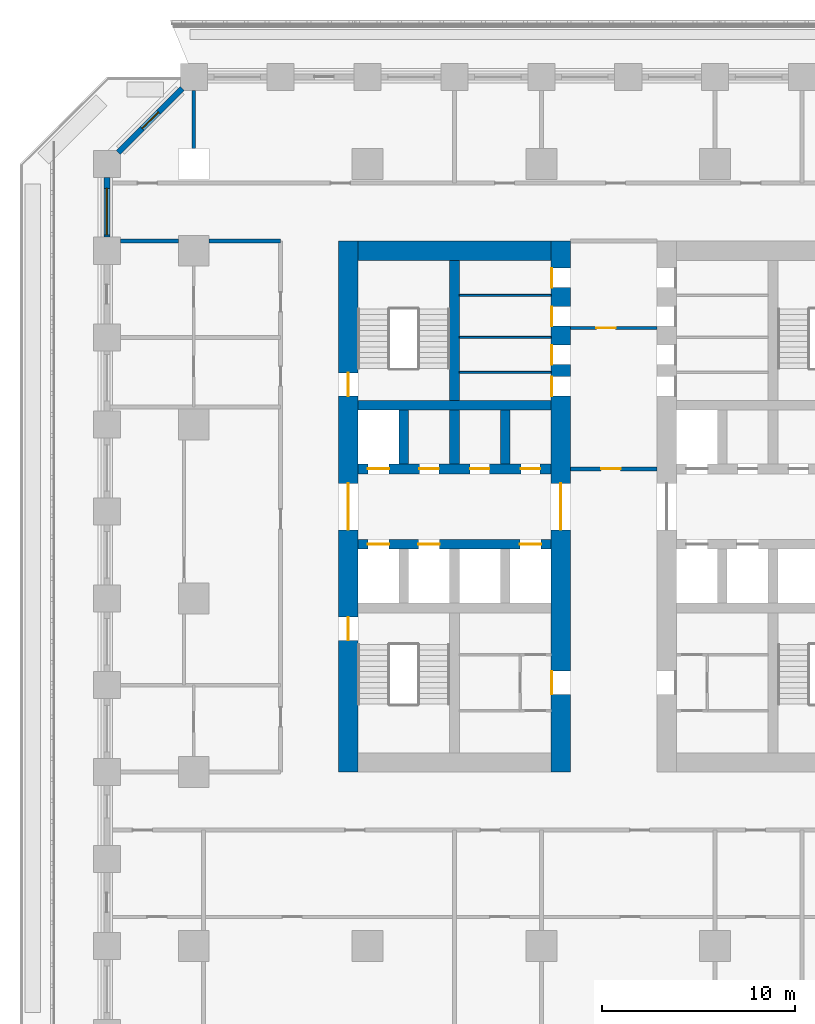
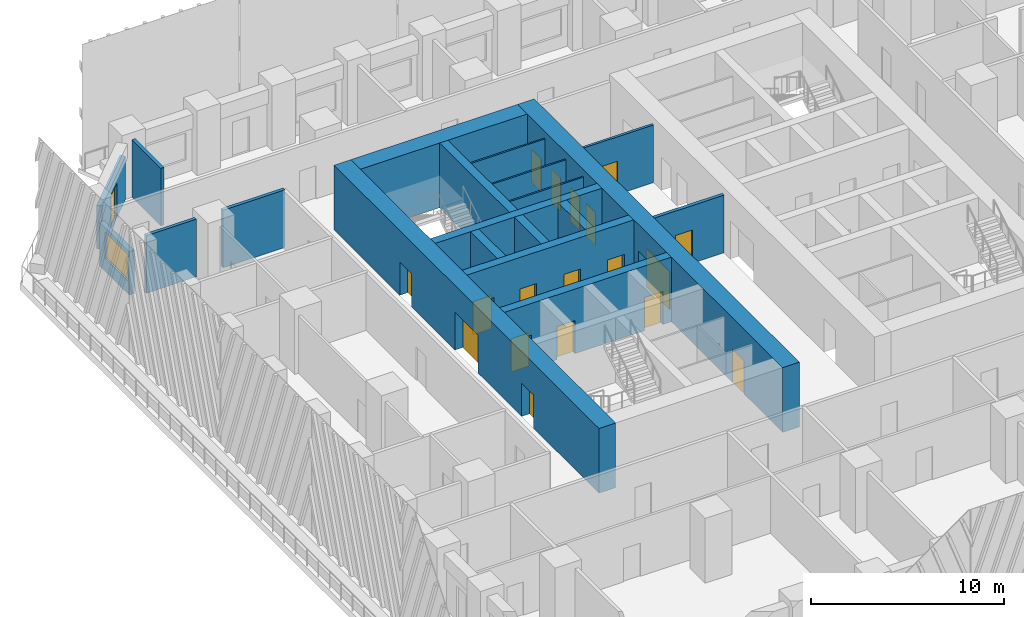
# One storey, part 6 of 15: 20 walls, 19 doors, 1 window, 20 openings.
"""IFC4 building model written with IfcOpenShell, lengths in metres."""

from ifc_helpers import new_model, si_unit, direction, frame, frame_2d, origin, place, context, subcontext, project, spatial, rectangle, extrude, material, layer, layer_set, type_object, element, fill, save


model = new_model("IFC4")

# Units and contexts
model_context = context("Model", 3, precision=1e-05, world=origin(), true_north=direction((0.0, 1.0)))
body_context = subcontext(model_context, "Body", "Model", "MODEL_VIEW")
ifc_project = project(units=[si_unit("LENGTHUNIT", "METRE"), si_unit("AREAUNIT", "SQUARE_METRE"), si_unit("VOLUMEUNIT", "CUBIC_METRE"), si_unit("PLANEANGLEUNIT", "RADIAN"), si_unit("MASSUNIT", "GRAM", prefix="KILO")], contexts=[model_context])

# Site, building, storey
site_placement = place(None, origin())
site = spatial("IfcSite", under=ifc_project, at=site_placement, CompositionType="ELEMENT")
building_placement = place(site_placement, origin())
building = spatial("IfcBuilding", under=site, at=building_placement, Name="Corbel Stack Research Tower", CompositionType="ELEMENT")
storey_placement = place(building_placement, frame((0.0, 0.0, 41.89990234375)))
storey = spatial("IfcBuildingStorey", under=building, at=storey_placement, Name="L09", CompositionType="ELEMENT", Elevation=41.89990234375)

# Wall, openings, doors
ifc_material_1 = material(Name="Concrete C70/85", Category="concrete")
ifc_layer_1 = layer(ifc_material_1, 1.0)
ifc_layer_set_1 = layer_set([ifc_layer_1], Name="Concrete C70/85")
wall_type_1 = type_object("IfcWallType", Name="CW-1000-70", PredefinedType="SHEAR", material=ifc_layer_set_1)
wall_1_placement = place(storey_placement, frame((-10.0, -9.0, 0.0), z_axis=(0.0, 0.0, 1.0), x_axis=(0.0, 1.0, 0.0)))
wall_1 = element("IfcWall", 1, at=wall_1_placement, inside=storey, type_object=wall_type_1, Name="West core wall, west face L09", PredefinedType="SHEAR", context=body_context, shape_type="SweptSolid", body=[
    extrude(rectangle(XDim=27.5, YDim=1.0, at=frame_2d((13.75, 0.0))), origin(), (0.0, 0.0, 1.0), 4.10009765625),
])
opening_1_placement = place(wall_1_placement, frame((12.550048828125, 0.0, 0.0)))
opening_1 = element("IfcOpeningElement", 2, at=opening_1_placement, cuts=wall_1, Name="Opening CD-W-W", PredefinedType="OPENING", context=body_context, shape_type="SweptSolid", body=[
    extrude(rectangle(XDim=2.39990234375, YDim=2.39990234375, at=frame_2d((1.199951171875, 1.199951171875))), frame((0.0, 0.510009765625, 0.0), z_axis=(0.0, -1.0, 0.0), x_axis=(1.0, 0.0, 0.0)), (0.0, 0.0, 1.0), 1.02001953125),
])
opening_2_placement = place(wall_1_placement, frame((6.824951171875, 0.0, 0.0)))
opening_2 = element("IfcOpeningElement", 3, at=opening_2_placement, cuts=wall_1, Name="Opening SD-ST-W1", PredefinedType="OPENING", context=body_context, shape_type="SweptSolid", body=[
    extrude(rectangle(XDim=1.199951171875, YDim=2.10009765625, at=frame_2d((0.60009765625, 1.050048828125))), frame((0.0, 0.510009765625, 0.0), z_axis=(0.0, -1.0, 0.0), x_axis=(1.0, 0.0, 0.0)), (0.0, 0.0, 1.0), 1.02001953125),
])
opening_3_placement = place(wall_1_placement, frame((19.47509765625, 0.0, 0.0)))
opening_3 = element("IfcOpeningElement", 4, at=opening_3_placement, cuts=wall_1, Name="Opening SD-ST-W2", PredefinedType="OPENING", context=body_context, shape_type="SweptSolid", body=[
    extrude(rectangle(XDim=1.199951171875, YDim=2.10009765625, at=frame_2d((0.60009765625, 1.050048828125))), frame((0.0, 0.510009765625, 0.0), z_axis=(0.0, -1.0, 0.0), x_axis=(1.0, 0.0, 0.0)), (0.0, 0.0, 1.0), 1.02001953125),
])
ifc_material_2 = material(Name="Painted steel fire door", Category="steel")
door_type_1 = type_object("IfcDoorType", Name="Lobby door pair 2400 x 2400 FD30S", OperationType="DOUBLE_DOOR_DOUBLE_SWING", PredefinedType="DOOR", material=ifc_material_2)
door_1_placement = place(opening_1_placement, origin())
door_1 = element("IfcDoor", 5, at=door_1_placement, inside=storey, type_object=door_type_1, Name="Lift lobby door W core W", OperationType="DOUBLE_DOOR_DOUBLE_SWING", OverallHeight=2.39990234375, OverallWidth=2.39990234375, PredefinedType="DOOR", context=body_context, shape_type="SweptSolid", body=[
    extrude(rectangle(XDim=2.39990234375, YDim=2.39990234375, at=frame_2d((1.199951171875, 1.199951171875))), frame((0.0, 0.02490234375, 0.0), z_axis=(0.0, -1.0, 0.0), x_axis=(1.0, 0.0, 0.0)), (0.0, 0.0, 1.0), 0.050048828125),
])
fill(opening_1, door_1)
ifc_material_3 = material(Name="Painted steel fire door", Category="steel")
door_type_2 = type_object("IfcDoorType", Name="Stair door 1200 x 2100 FD90 left hand", OperationType="SINGLE_SWING_LEFT", PredefinedType="DOOR", material=ifc_material_3)
door_2_placement = place(opening_2_placement, origin())
door_2 = element("IfcDoor", 6, at=door_2_placement, inside=storey, type_object=door_type_2, Name="Stair door ST-W1", OperationType="SINGLE_SWING_LEFT", OverallHeight=2.10009765625, OverallWidth=1.199951171875, PredefinedType="DOOR", context=body_context, shape_type="SweptSolid", body=[
    extrude(rectangle(XDim=1.199951171875, YDim=2.10009765625, at=frame_2d((0.60009765625, 1.050048828125))), frame((0.0, 0.02490234375, 0.0), z_axis=(0.0, -1.0, 0.0), x_axis=(1.0, 0.0, 0.0)), (0.0, 0.0, 1.0), 0.050048828125),
])
fill(opening_2, door_2)
door_3_placement = place(opening_3_placement, origin())
door_3 = element("IfcDoor", 7, at=door_3_placement, inside=storey, type_object=door_type_2, Name="Stair door ST-W2", OperationType="SINGLE_SWING_LEFT", OverallHeight=2.10009765625, OverallWidth=1.199951171875, PredefinedType="DOOR", context=body_context, shape_type="SweptSolid", body=[
    extrude(rectangle(XDim=1.199951171875, YDim=2.10009765625, at=frame_2d((0.60009765625, 1.050048828125))), frame((0.0, 0.02490234375, 0.0), z_axis=(0.0, -1.0, 0.0), x_axis=(1.0, 0.0, 0.0)), (0.0, 0.0, 1.0), 0.050048828125),
])
fill(opening_3, door_3)

wall_2_placement = place(storey_placement, frame((1.0, -9.0, 0.0), z_axis=(0.0, 0.0, 1.0), x_axis=(0.0, 1.0, 0.0)))
wall_2 = element("IfcWall", 8, at=wall_2_placement, inside=storey, type_object=wall_type_1, Name="West core wall, east face L09", PredefinedType="SHEAR", context=body_context, shape_type="SweptSolid", body=[
    extrude(rectangle(XDim=27.5, YDim=1.0, at=frame_2d((13.75, 0.0))), origin(), (0.0, 0.0, 1.0), 4.10009765625),
])
opening_4_placement = place(wall_2_placement, frame((12.550048828125, 0.0, 0.0)))
opening_4 = element("IfcOpeningElement", 9, at=opening_4_placement, cuts=wall_2, Name="Opening CD-W-E", PredefinedType="OPENING", context=body_context, shape_type="SweptSolid", body=[
    extrude(rectangle(XDim=2.39990234375, YDim=2.39990234375, at=frame_2d((1.199951171875, 1.199951171875))), frame((0.0, 0.510009765625, 0.0), z_axis=(0.0, -1.0, 0.0), x_axis=(1.0, 0.0, 0.0)), (0.0, 0.0, 1.0), 1.02001953125),
])
opening_5_placement = place(wall_2_placement, frame((4.02490234375, 0.0, 0.0)))
opening_5 = element("IfcOpeningElement", 10, at=opening_5_placement, cuts=wall_2, Name="Opening CR-W36-W1-1200", PredefinedType="OPENING", context=body_context, shape_type="SweptSolid", body=[
    extrude(rectangle(XDim=1.199951171875, YDim=2.10009765625, at=frame_2d((0.60009765625, 1.050048828125))), frame((0.0, 0.510009765625, 0.0), z_axis=(0.0, -1.0, 0.0), x_axis=(1.0, 0.0, 0.0)), (0.0, 0.0, 1.0), 1.02001953125),
])
opening_6_placement = place(wall_2_placement, frame((19.47509765625, 0.0, 0.0)))
opening_6 = element("IfcOpeningElement", 11, at=opening_6_placement, cuts=wall_2, Name="Opening CR-W36-R1-1000", PredefinedType="OPENING", context=body_context, shape_type="SweptSolid", body=[
    extrude(rectangle(XDim=1.0, YDim=2.10009765625, at=frame_2d((0.5, 1.050048828125))), frame((0.0, 0.510009765625, 0.0), z_axis=(0.0, -1.0, 0.0), x_axis=(1.0, 0.0, 0.0)), (0.0, 0.0, 1.0), 1.02001953125),
])
opening_7_placement = place(wall_2_placement, frame((21.106201171875, 0.0, 0.0)))
opening_7 = element("IfcOpeningElement", 12, at=opening_7_placement, cuts=wall_2, Name="Opening CR-W36-R2-1000", PredefinedType="OPENING", context=body_context, shape_type="SweptSolid", body=[
    extrude(rectangle(XDim=1.0, YDim=2.10009765625, at=frame_2d((0.5, 1.050048828125))), frame((0.0, 0.510009765625, 0.0), z_axis=(0.0, -1.0, 0.0), x_axis=(1.0, 0.0, 0.0)), (0.0, 0.0, 1.0), 1.02001953125),
])
opening_8_placement = place(wall_2_placement, frame((23.10009765625, 0.0, 0.0)))
opening_8 = element("IfcOpeningElement", 13, at=opening_8_placement, cuts=wall_2, Name="Opening CR-W36-R3-1000", PredefinedType="OPENING", context=body_context, shape_type="SweptSolid", body=[
    extrude(rectangle(XDim=1.0, YDim=2.10009765625, at=frame_2d((0.5, 1.050048828125))), frame((0.0, 0.510009765625, 0.0), z_axis=(0.0, -1.0, 0.0), x_axis=(1.0, 0.0, 0.0)), (0.0, 0.0, 1.0), 1.02001953125),
])
opening_9_placement = place(wall_2_placement, frame((25.09375, 0.0, 0.0)))
opening_9 = element("IfcOpeningElement", 14, at=opening_9_placement, cuts=wall_2, Name="Opening CR-W36-R4-1000", PredefinedType="OPENING", context=body_context, shape_type="SweptSolid", body=[
    extrude(rectangle(XDim=1.0, YDim=2.10009765625, at=frame_2d((0.5, 1.050048828125))), frame((0.0, 0.510009765625, 0.0), z_axis=(0.0, -1.0, 0.0), x_axis=(1.0, 0.0, 0.0)), (0.0, 0.0, 1.0), 1.02001953125),
])
door_4_placement = place(opening_4_placement, origin())
door_4 = element("IfcDoor", 15, at=door_4_placement, inside=storey, type_object=door_type_1, Name="Lift lobby door W core E", OperationType="DOUBLE_DOOR_DOUBLE_SWING", OverallHeight=2.39990234375, OverallWidth=2.39990234375, PredefinedType="DOOR", context=body_context, shape_type="SweptSolid", body=[
    extrude(rectangle(XDim=2.39990234375, YDim=2.39990234375, at=frame_2d((1.199951171875, 1.199951171875))), frame((0.0, 0.02490234375, 0.0), z_axis=(0.0, -1.0, 0.0), x_axis=(1.0, 0.0, 0.0)), (0.0, 0.0, 1.0), 0.050048828125),
])
fill(opening_4, door_4)
ifc_material_4 = material(Name="Painted steel door", Category="steel")
door_type_3 = type_object("IfcDoorType", Name="Riser door 1000 x 2100 FD60 left hand", OperationType="SINGLE_SWING_LEFT", PredefinedType="DOOR", material=ifc_material_4)
door_5_placement = place(opening_6_placement, origin())
door_5 = element("IfcDoor", 16, at=door_5_placement, inside=storey, type_object=door_type_3, Name="Electrical riser door W core", OperationType="SINGLE_SWING_LEFT", OverallHeight=2.10009765625, OverallWidth=1.0, PredefinedType="DOOR", context=body_context, shape_type="SweptSolid", body=[
    extrude(rectangle(XDim=1.0, YDim=2.10009765625, at=frame_2d((0.5, 1.050048828125))), frame((0.0, 0.47509765625, 0.0), z_axis=(0.0, -1.0, 0.0), x_axis=(1.0, 0.0, 0.0)), (0.0, 0.0, 1.0), 0.050048828125),
])
fill(opening_6, door_5)
ifc_material_5 = material(Name="Painted steel door", Category="steel")
door_type_4 = type_object("IfcDoorType", Name="Riser door 1000 x 2100 FD60 right hand", OperationType="SINGLE_SWING_RIGHT", PredefinedType="DOOR", material=ifc_material_5)
door_6_placement = place(opening_7_placement, origin())
door_6 = element("IfcDoor", 17, at=door_6_placement, inside=storey, type_object=door_type_4, Name="Telecom room door W core", OperationType="SINGLE_SWING_RIGHT", OverallHeight=2.10009765625, OverallWidth=1.0, PredefinedType="DOOR", context=body_context, shape_type="SweptSolid", body=[
    extrude(rectangle(XDim=1.0, YDim=2.10009765625, at=frame_2d((0.5, 1.050048828125))), frame((0.0, 0.47509765625, 0.0), z_axis=(0.0, -1.0, 0.0), x_axis=(1.0, 0.0, 0.0)), (0.0, 0.0, 1.0), 0.050048828125),
])
fill(opening_7, door_6)
ifc_material_6 = material(Name="Painted steel door", Category="steel")
door_type_5 = type_object("IfcDoorType", Name="Service door 1000 x 2100 FD30 left hand", OperationType="SINGLE_SWING_LEFT", PredefinedType="DOOR", material=ifc_material_6)
door_7_placement = place(opening_8_placement, origin())
door_7 = element("IfcDoor", 18, at=door_7_placement, inside=storey, type_object=door_type_5, Name="Pantry door W core", OperationType="SINGLE_SWING_LEFT", OverallHeight=2.10009765625, OverallWidth=1.0, PredefinedType="DOOR", context=body_context, shape_type="SweptSolid", body=[
    extrude(rectangle(XDim=1.0, YDim=2.10009765625, at=frame_2d((0.5, 1.050048828125))), frame((0.0, 0.47509765625, 0.0), z_axis=(0.0, -1.0, 0.0), x_axis=(1.0, 0.0, 0.0)), (0.0, 0.0, 1.0), 0.050048828125),
])
fill(opening_8, door_7)
ifc_material_7 = material(Name="Painted steel door", Category="steel")
door_type_6 = type_object("IfcDoorType", Name="Service door 1000 x 2100 FD30 right hand", OperationType="SINGLE_SWING_RIGHT", PredefinedType="DOOR", material=ifc_material_7)
door_8_placement = place(opening_9_placement, origin())
door_8 = element("IfcDoor", 19, at=door_8_placement, inside=storey, type_object=door_type_6, Name="Cleaner's store door W core", OperationType="SINGLE_SWING_RIGHT", OverallHeight=2.10009765625, OverallWidth=1.0, PredefinedType="DOOR", context=body_context, shape_type="SweptSolid", body=[
    extrude(rectangle(XDim=1.0, YDim=2.10009765625, at=frame_2d((0.5, 1.050048828125))), frame((0.0, 0.47509765625, 0.0), z_axis=(0.0, -1.0, 0.0), x_axis=(1.0, 0.0, 0.0)), (0.0, 0.0, 1.0), 0.050048828125),
])
fill(opening_9, door_8)
ifc_material_8 = material(Name="Painted timber door", Category="wood")
door_type_7 = type_object("IfcDoorType", Name="WC door 1200 x 2100 left hand", OperationType="SINGLE_SWING_LEFT", PredefinedType="DOOR", material=ifc_material_8)
door_9_placement = place(opening_5_placement, origin())
door_9 = element("IfcDoor", 20, at=door_9_placement, inside=storey, type_object=door_type_7, Name="WC lobby door W core", OperationType="SINGLE_SWING_LEFT", OverallHeight=2.10009765625, OverallWidth=1.199951171875, PredefinedType="DOOR", context=body_context, shape_type="SweptSolid", body=[
    extrude(rectangle(XDim=1.199951171875, YDim=2.10009765625, at=frame_2d((0.60009765625, 1.050048828125))), frame((0.0, 0.47509765625, 0.0), z_axis=(0.0, -1.0, 0.0), x_axis=(1.0, 0.0, 0.0)), (0.0, 0.0, 1.0), 0.050048828125),
])
fill(opening_5, door_9)

# Wall
wall_3_placement = place(storey_placement, frame((-9.5, 18.0, 0.0), z_axis=(0.0, 0.0, 1.0), x_axis=(1.0, 0.0, 0.0)))
element("IfcWall", 21, at=wall_3_placement, inside=storey, type_object=wall_type_1, Name="West core wall, north end L09", PredefinedType="SHEAR", context=body_context, shape_type="SweptSolid", body=[
    extrude(rectangle(XDim=10.0, YDim=1.0, at=frame_2d((5.0, 0.0))), origin(), (0.0, 0.0, 1.0), 4.10009765625),
])

# Wall, openings, doors
ifc_material_9 = material(Name="Concrete C70/85", Category="concrete")
ifc_layer_2 = layer(ifc_material_9, 0.5)
ifc_layer_set_2 = layer_set([ifc_layer_2], Name="Concrete C70/85")
wall_type_2 = type_object("IfcWallType", Name="CW-500-70", PredefinedType="SHEAR", material=ifc_layer_set_2)
wall_4_placement = place(storey_placement, frame((-9.5, 2.800048828125, 0.0), z_axis=(0.0, 0.0, 1.0), x_axis=(1.0, 0.0, 0.0)))
wall_4 = element("IfcWall", 22, at=wall_4_placement, inside=storey, type_object=wall_type_2, Name="West core wall, lobby south L09", PredefinedType="SHEAR", context=body_context, shape_type="SweptSolid", body=[
    extrude(rectangle(XDim=10.0, YDim=0.5, at=frame_2d((5.0, 0.0))), origin(), (0.0, 0.0, 1.0), 4.10009765625),
])
opening_10_placement = place(wall_4_placement, frame((0.512451171875, 0.0, 0.0)))
opening_10 = element("IfcOpeningElement", 23, at=opening_10_placement, cuts=wall_4, Name="Opening LD-FS1", PredefinedType="OPENING", context=body_context, shape_type="SweptSolid", body=[
    extrude(rectangle(XDim=1.10009765625, YDim=2.10009765625, at=frame_2d((0.550048828125, 1.050048828125))), frame((0.0, 0.260009765625, 0.0), z_axis=(0.0, -1.0, 0.0), x_axis=(1.0, 0.0, 0.0)), (0.0, 0.0, 1.0), 0.52001953125),
])
opening_11_placement = place(wall_4_placement, frame((3.137451171875, 0.0, 0.0)))
opening_11 = element("IfcOpeningElement", 24, at=opening_11_placement, cuts=wall_4, Name="Opening LD-GL1", PredefinedType="OPENING", context=body_context, shape_type="SweptSolid", body=[
    extrude(rectangle(XDim=1.10009765625, YDim=2.10009765625, at=frame_2d((0.550048828125, 1.050048828125))), frame((0.0, 0.260009765625, 0.0), z_axis=(0.0, -1.0, 0.0), x_axis=(1.0, 0.0, 0.0)), (0.0, 0.0, 1.0), 0.52001953125),
])
opening_12_placement = place(wall_4_placement, frame((8.387451171875, 0.0, 0.0)))
opening_12 = element("IfcOpeningElement", 25, at=opening_12_placement, cuts=wall_4, Name="Opening LD-LR1", PredefinedType="OPENING", context=body_context, shape_type="SweptSolid", body=[
    extrude(rectangle(XDim=1.10009765625, YDim=2.10009765625, at=frame_2d((0.550048828125, 1.050048828125))), frame((0.0, 0.260009765625, 0.0), z_axis=(0.0, -1.0, 0.0), x_axis=(1.0, 0.0, 0.0)), (0.0, 0.0, 1.0), 0.52001953125),
])
ifc_material_10 = material(Name="Stainless steel landing door", Category="steel")
door_type_8 = type_object("IfcDoorType", Name="Lift landing door 1100 x 2100", OperationType="DOUBLE_DOOR_SLIDING", PredefinedType="DOOR", material=ifc_material_10)
door_10_placement = place(opening_10_placement, origin())
door_10 = element("IfcDoor", 26, at=door_10_placement, inside=storey, type_object=door_type_8, Name="Landing door FS1", OperationType="DOUBLE_DOOR_SLIDING", OverallHeight=2.10009765625, OverallWidth=1.10009765625, PredefinedType="DOOR", context=body_context, shape_type="SweptSolid", body=[
    extrude(rectangle(XDim=1.10009765625, YDim=2.10009765625, at=frame_2d((0.550048828125, 1.050048828125))), frame((0.0, 0.02490234375, 0.0), z_axis=(0.0, -1.0, 0.0), x_axis=(1.0, 0.0, 0.0)), (0.0, 0.0, 1.0), 0.050048828125),
])
fill(opening_10, door_10)
door_11_placement = place(opening_11_placement, origin())
door_11 = element("IfcDoor", 27, at=door_11_placement, inside=storey, type_object=door_type_8, Name="Landing door GL1", OperationType="DOUBLE_DOOR_SLIDING", OverallHeight=2.10009765625, OverallWidth=1.10009765625, PredefinedType="DOOR", context=body_context, shape_type="SweptSolid", body=[
    extrude(rectangle(XDim=1.10009765625, YDim=2.10009765625, at=frame_2d((0.550048828125, 1.050048828125))), frame((0.0, 0.02490234375, 0.0), z_axis=(0.0, -1.0, 0.0), x_axis=(1.0, 0.0, 0.0)), (0.0, 0.0, 1.0), 0.050048828125),
])
fill(opening_11, door_11)
door_12_placement = place(opening_12_placement, origin())
door_12 = element("IfcDoor", 28, at=door_12_placement, inside=storey, type_object=door_type_8, Name="Landing door LR1", OperationType="DOUBLE_DOOR_SLIDING", OverallHeight=2.10009765625, OverallWidth=1.10009765625, PredefinedType="DOOR", context=body_context, shape_type="SweptSolid", body=[
    extrude(rectangle(XDim=1.10009765625, YDim=2.10009765625, at=frame_2d((0.550048828125, 1.050048828125))), frame((0.0, 0.02490234375, 0.0), z_axis=(0.0, -1.0, 0.0), x_axis=(1.0, 0.0, 0.0)), (0.0, 0.0, 1.0), 0.050048828125),
])
fill(opening_12, door_12)

wall_5_placement = place(storey_placement, frame((-9.5, 6.699951171875, 0.0), z_axis=(0.0, 0.0, 1.0), x_axis=(1.0, 0.0, 0.0)))
wall_5 = element("IfcWall", 29, at=wall_5_placement, inside=storey, type_object=wall_type_2, Name="West core wall, lobby north L09", PredefinedType="SHEAR", context=body_context, shape_type="SweptSolid", body=[
    extrude(rectangle(XDim=10.0, YDim=0.5, at=frame_2d((5.0, 0.0))), origin(), (0.0, 0.0, 1.0), 4.10009765625),
])
opening_13_placement = place(wall_5_placement, frame((0.512451171875, 0.0, 0.0)))
opening_13 = element("IfcOpeningElement", 30, at=opening_13_placement, cuts=wall_5, Name="Opening LD-LR2", PredefinedType="OPENING", context=body_context, shape_type="SweptSolid", body=[
    extrude(rectangle(XDim=1.10009765625, YDim=2.10009765625, at=frame_2d((0.550048828125, 1.050048828125))), frame((0.0, 0.260009765625, 0.0), z_axis=(0.0, -1.0, 0.0), x_axis=(1.0, 0.0, 0.0)), (0.0, 0.0, 1.0), 0.52001953125),
])
opening_14_placement = place(wall_5_placement, frame((3.1875, 0.0, 0.0)))
opening_14 = element("IfcOpeningElement", 31, at=opening_14_placement, cuts=wall_5, Name="Opening CR-W36-N2", PredefinedType="OPENING", context=body_context, shape_type="SweptSolid", body=[
    extrude(rectangle(XDim=1.0, YDim=2.10009765625, at=frame_2d((0.5, 1.050048828125))), frame((0.0, 0.260009765625, 0.0), z_axis=(0.0, -1.0, 0.0), x_axis=(1.0, 0.0, 0.0)), (0.0, 0.0, 1.0), 0.52001953125),
])
opening_15_placement = place(wall_5_placement, frame((5.8125, 0.0, 0.0)))
opening_15 = element("IfcOpeningElement", 32, at=opening_15_placement, cuts=wall_5, Name="Opening CR-W36-N3", PredefinedType="OPENING", context=body_context, shape_type="SweptSolid", body=[
    extrude(rectangle(XDim=1.0, YDim=2.10009765625, at=frame_2d((0.5, 1.050048828125))), frame((0.0, 0.260009765625, 0.0), z_axis=(0.0, -1.0, 0.0), x_axis=(1.0, 0.0, 0.0)), (0.0, 0.0, 1.0), 0.52001953125),
])
opening_16_placement = place(wall_5_placement, frame((8.4375, 0.0, 0.0)))
opening_16 = element("IfcOpeningElement", 33, at=opening_16_placement, cuts=wall_5, Name="Opening CR-W36-N4", PredefinedType="OPENING", context=body_context, shape_type="SweptSolid", body=[
    extrude(rectangle(XDim=1.0, YDim=2.10009765625, at=frame_2d((0.5, 1.050048828125))), frame((0.0, 0.260009765625, 0.0), z_axis=(0.0, -1.0, 0.0), x_axis=(1.0, 0.0, 0.0)), (0.0, 0.0, 1.0), 0.52001953125),
])
door_13_placement = place(opening_13_placement, origin())
door_13 = element("IfcDoor", 34, at=door_13_placement, inside=storey, type_object=door_type_8, Name="Landing door LR2", OperationType="DOUBLE_DOOR_SLIDING", OverallHeight=2.10009765625, OverallWidth=1.10009765625, PredefinedType="DOOR", context=body_context, shape_type="SweptSolid", body=[
    extrude(rectangle(XDim=1.10009765625, YDim=2.10009765625, at=frame_2d((0.550048828125, 1.050048828125))), frame((0.0, 0.02490234375, 0.0), z_axis=(0.0, -1.0, 0.0), x_axis=(1.0, 0.0, 0.0)), (0.0, 0.0, 1.0), 0.050048828125),
])
fill(opening_13, door_13)
ifc_material_11 = material(Name="Painted steel door", Category="steel")
door_type_9 = type_object("IfcDoorType", Name="Service door 1000 x 2100 FD60 left hand", OperationType="SINGLE_SWING_LEFT", PredefinedType="DOOR", material=ifc_material_11)
door_14_placement = place(opening_15_placement, origin())
door_14 = element("IfcDoor", 35, at=door_14_placement, inside=storey, type_object=door_type_9, Name="Cleaner's store door W core", OperationType="SINGLE_SWING_LEFT", OverallHeight=2.10009765625, OverallWidth=1.0, PredefinedType="DOOR", context=body_context, shape_type="SweptSolid", body=[
    extrude(rectangle(XDim=1.0, YDim=2.10009765625, at=frame_2d((0.5, 1.050048828125))), frame((0.0, 0.02490234375, 0.0), z_axis=(0.0, -1.0, 0.0), x_axis=(1.0, 0.0, 0.0)), (0.0, 0.0, 1.0), 0.050048828125),
])
fill(opening_15, door_14)
ifc_material_12 = material(Name="Painted steel door", Category="steel")
door_type_10 = type_object("IfcDoorType", Name="Service door 1000 x 2100 FD60 right hand", OperationType="SINGLE_SWING_RIGHT", PredefinedType="DOOR", material=ifc_material_12)
door_15_placement = place(opening_14_placement, origin())
door_15 = element("IfcDoor", 36, at=door_15_placement, inside=storey, type_object=door_type_10, Name="Laboratory consumables store door W core", OperationType="SINGLE_SWING_RIGHT", OverallHeight=2.10009765625, OverallWidth=1.0, PredefinedType="DOOR", context=body_context, shape_type="SweptSolid", body=[
    extrude(rectangle(XDim=1.0, YDim=2.10009765625, at=frame_2d((0.5, 1.050048828125))), frame((0.0, 0.02490234375, 0.0), z_axis=(0.0, -1.0, 0.0), x_axis=(1.0, 0.0, 0.0)), (0.0, 0.0, 1.0), 0.050048828125),
])
fill(opening_14, door_15)
door_16_placement = place(opening_16_placement, origin())
door_16 = element("IfcDoor", 37, at=door_16_placement, inside=storey, type_object=door_type_10, Name="Vending bay door W core", OperationType="SINGLE_SWING_RIGHT", OverallHeight=2.10009765625, OverallWidth=1.0, PredefinedType="DOOR", context=body_context, shape_type="SweptSolid", body=[
    extrude(rectangle(XDim=1.0, YDim=2.10009765625, at=frame_2d((0.5, 1.050048828125))), frame((0.0, 0.02490234375, 0.0), z_axis=(0.0, -1.0, 0.0), x_axis=(1.0, 0.0, 0.0)), (0.0, 0.0, 1.0), 0.050048828125),
])
fill(opening_16, door_16)

# Walls
wall_6_placement = place(storey_placement, frame((-9.5, 10.0, 0.0), z_axis=(0.0, 0.0, 1.0), x_axis=(1.0, 0.0, 0.0)))
element("IfcWall", 38, at=wall_6_placement, inside=storey, type_object=wall_type_2, Name="West core wall, north row back L09", PredefinedType="SHEAR", context=body_context, shape_type="SweptSolid", body=[
    extrude(rectangle(XDim=10.0, YDim=0.5, at=frame_2d((5.0, 0.0))), origin(), (0.0, 0.0, 1.0), 4.10009765625),
])
for number, where, z_axis, x_axis, name in (
    (39, (-7.125, 6.949951171875, 0.0), (0.0, 0.0, 1.0), (0.0, 1.0, 0.0), "West core wall, north shaft 1 L09"),
    (40, (-4.5, 6.949951171875, 0.0), (0.0, 0.0, 1.0), (0.0, 1.0, 0.0), "West core wall, north shaft 2 L09"),
    (41, (-1.875, 6.949951171875, 0.0), (0.0, 0.0, 1.0), (0.0, 1.0, 0.0), "West core wall, north shaft 3 L09"),
):
    element("IfcWall", number, at=place(storey_placement, frame(where, z_axis=z_axis, x_axis=x_axis)), inside=storey, type_object=wall_type_2, Name=name, PredefinedType="SHEAR", context=body_context, shape_type="SweptSolid", body=[
        extrude(rectangle(XDim=2.800048828125, YDim=0.5, at=frame_2d((1.39990234375, 0.0))), origin(), (0.0, 0.0, 1.0), 4.10009765625),
    ])
wall_7_placement = place(storey_placement, frame((-4.5, 10.25, 0.0), z_axis=(0.0, 0.0, 1.0), x_axis=(0.0, 1.0, 0.0)))
element("IfcWall", 42, at=wall_7_placement, inside=storey, type_object=wall_type_2, Name="West core wall, north stair and riser L09", PredefinedType="SHEAR", context=body_context, shape_type="SweptSolid", body=[
    extrude(rectangle(XDim=7.25, YDim=0.5, at=frame_2d((3.625, 0.0))), origin(), (0.0, 0.0, 1.0), 4.10009765625),
])
ifc_material_13 = material(Name="Gypsum board")
ifc_layer_3 = layer(ifc_material_13, 0.10009765625)
ifc_layer_set_3 = layer_set([ifc_layer_3], Name="Gypsum board")
wall_type_3 = type_object("IfcWallType", Name="Core partition 100", PredefinedType="PARTITIONING", material=ifc_layer_set_3)
for number, where, z_axis, x_axis, name in (
    (43, (-4.25, 11.699951171875, 0.0), (0.0, 0.0, 1.0), (1.0, 0.0, 0.0), "Core partition W"),
    (44, (-4.25, 13.512451171875, 0.0), (0.0, 0.0, 1.0), (1.0, 0.0, 0.0), "Core partition W"),
    (45, (-4.25, 15.6875, 0.0), (0.0, 0.0, 1.0), (1.0, 0.0, 0.0), "Core partition W"),
):
    element("IfcWall", number, at=place(storey_placement, frame(where, z_axis=z_axis, x_axis=x_axis)), inside=storey, type_object=wall_type_3, Name=name, PredefinedType="PARTITIONING", context=body_context, shape_type="SweptSolid", body=[
        extrude(rectangle(XDim=4.75, YDim=0.10009765625, at=frame_2d((2.375, 0.0))), origin(), (0.0, 0.0, 1.0), 3.650146484375),
    ])
ifc_material_14 = material(Name="Fire-rated gypsum board partition on steel studs", Category="steel")
ifc_layer_4 = layer(ifc_material_14, 0.199951171875)
ifc_layer_set_4 = layer_set([ifc_layer_4], Name="Fire-rated gypsum board partition on steel studs")
wall_type_4 = type_object("IfcWallType", Name="Fire-rated partition 200 EI 60", PredefinedType="PARTITIONING", material=ifc_layer_set_4)
wall_8_placement = place(storey_placement, frame((-18.0, 23.300048828125, 0.0), z_axis=(0.0, 0.0, 1.0), x_axis=(0.0, 1.0, 0.0)))
element("IfcWall", 46, at=wall_8_placement, inside=storey, type_object=wall_type_4, Name="Partition L09-005", PredefinedType="PARTITIONING", context=body_context, shape_type="SweptSolid", body=[
    extrude(rectangle(XDim=3.0, YDim=0.199951171875, at=frame_2d((1.5, 0.0))), origin(), (0.0, 0.0, 1.0), 3.650146484375),
])

# Wall, opening, door
wall_9_placement = place(storey_placement, frame((1.5, 6.699951171875, 0.0), z_axis=(0.0, 0.0, 1.0), x_axis=(1.0, 0.0, 0.0)))
wall_9 = element("IfcWall", 47, at=wall_9_placement, inside=storey, type_object=wall_type_4, Name="Partition L09-037", PredefinedType="PARTITIONING", context=body_context, shape_type="SweptSolid", body=[
    extrude(rectangle(XDim=4.5, YDim=0.199951171875, at=frame_2d((2.25, 0.0))), origin(), (0.0, 0.0, 1.0), 3.650146484375),
])
opening_17_placement = place(wall_9_placement, frame((1.60009765625, 0.0, 0.0)))
opening_17 = element("IfcOpeningElement", 48, at=opening_17_placement, cuts=wall_9, Name="Opening B2V0H-025", PredefinedType="OPENING", context=body_context, shape_type="SweptSolid", body=[
    extrude(rectangle(XDim=1.0, YDim=2.10009765625, at=frame_2d((0.5, 1.050048828125))), frame((0.0, 0.10986328125, 0.0), z_axis=(0.0, -1.0, 0.0), x_axis=(1.0, 0.0, 0.0)), (0.0, 0.0, 1.0), 0.219970703125),
])
ifc_material_15 = material(Name="Painted steel fire door", Category="steel")
door_type_11 = type_object("IfcDoorType", Name="Fire door FD30S 1000 x 2100", OperationType="NOTDEFINED", PredefinedType="DOOR", material=ifc_material_15)
door_17_placement = place(opening_17_placement, origin())
door_17 = element("IfcDoor", 49, at=door_17_placement, inside=storey, type_object=door_type_11, Name="Door B2V0H-025", OperationType="SINGLE_SWING_LEFT", OverallHeight=2.10009765625, OverallWidth=1.0, PredefinedType="DOOR", context=body_context, shape_type="SweptSolid", body=[
    extrude(rectangle(XDim=1.0, YDim=2.10009765625, at=frame_2d((0.5, 1.050048828125))), frame((0.0, 0.02490234375, 0.0), z_axis=(0.0, -1.0, 0.0), x_axis=(1.0, 0.0, 0.0)), (0.0, 0.0, 1.0), 0.050048828125),
])
fill(opening_17, door_17)

# Walls
wall_10_placement = place(storey_placement, frame((-21.800048828125, 18.5, 0.0), z_axis=(0.0, 0.0, 1.0), x_axis=(1.0, 0.0, 0.0)))
element("IfcWall", 50, at=wall_10_placement, inside=storey, type_object=wall_type_4, Name="Partition L09-044", PredefinedType="PARTITIONING", context=body_context, shape_type="SweptSolid", body=[
    extrude(rectangle(XDim=3.0, YDim=0.199951171875, at=frame_2d((1.5, 0.0))), origin(), (0.0, 0.0, 1.0), 3.650146484375),
])
wall_11_placement = place(storey_placement, frame((-17.199951171875, 18.5, 0.0), z_axis=(0.0, 0.0, 1.0), x_axis=(1.0, 0.0, 0.0)))
element("IfcWall", 51, at=wall_11_placement, inside=storey, type_object=wall_type_4, Name="Partition L09-045", PredefinedType="PARTITIONING", context=body_context, shape_type="SweptSolid", body=[
    extrude(rectangle(XDim=3.699951171875, YDim=0.199951171875, at=frame_2d((1.85009765625, 0.0))), origin(), (0.0, 0.0, 1.0), 3.650146484375),
])

# Wall, opening, door
ifc_material_16 = material(Name="Gypsum board partition on steel studs", Category="steel")
ifc_layer_5 = layer(ifc_material_16, 0.14990234375)
ifc_layer_set_5 = layer_set([ifc_layer_5], Name="Gypsum board partition on steel studs")
wall_type_5 = type_object("IfcWallType", Name="Partition 150", PredefinedType="PARTITIONING", material=ifc_layer_set_5)
wall_12_placement = place(storey_placement, frame((1.5, 14.0, 0.0), z_axis=(0.0, 0.0, 1.0), x_axis=(1.0, 0.0, 0.0)))
wall_12 = element("IfcWall", 52, at=wall_12_placement, inside=storey, type_object=wall_type_5, Name="Partition L09-043", PredefinedType="PARTITIONING", context=body_context, shape_type="SweptSolid", body=[
    extrude(rectangle(XDim=4.5, YDim=0.14990234375, at=frame_2d((2.25, 0.0))), origin(), (0.0, 0.0, 1.0), 3.650146484375),
])
opening_18_placement = place(wall_12_placement, frame((1.35009765625, 0.0, 0.0)))
opening_18 = element("IfcOpeningElement", 53, at=opening_18_placement, cuts=wall_12, Name="Opening B2V0H-026", PredefinedType="OPENING", context=body_context, shape_type="SweptSolid", body=[
    extrude(rectangle(XDim=1.0, YDim=2.10009765625, at=frame_2d((0.5, 1.050048828125))), frame((0.0, 0.0849609375, 0.0), z_axis=(0.0, -1.0, 0.0), x_axis=(1.0, 0.0, 0.0)), (0.0, 0.0, 1.0), 0.169921875),
])
ifc_material_17 = material(Name="Painted timber door", Category="wood")
door_type_12 = type_object("IfcDoorType", Name="Single door 1000 x 2100", OperationType="NOTDEFINED", PredefinedType="DOOR", material=ifc_material_17)
door_18_placement = place(opening_18_placement, origin())
door_18 = element("IfcDoor", 54, at=door_18_placement, inside=storey, type_object=door_type_12, Name="Door B2V0H-026", OperationType="SINGLE_SWING_LEFT", OverallHeight=2.10009765625, OverallWidth=1.0, PredefinedType="DOOR", context=body_context, shape_type="SweptSolid", body=[
    extrude(rectangle(XDim=1.0, YDim=2.10009765625, at=frame_2d((0.5, 1.050048828125))), frame((0.0, 0.02490234375, 0.0), z_axis=(0.0, -1.0, 0.0), x_axis=(1.0, 0.0, 0.0)), (0.0, 0.0, 1.0), 0.050048828125),
])
fill(opening_18, door_18)

ifc_material_18 = material(Name="Concrete C45/55", Category="concrete")
ifc_layer_6 = layer(ifc_material_18, 0.300048828125)
ifc_layer_set_6 = layer_set([ifc_layer_6], Name="Concrete C45/55")
wall_type_6 = type_object("IfcWallType", Name="Terracotta-faced concrete wall 300", PredefinedType="SOLIDWALL", material=ifc_layer_set_6)
wall_13_placement = place(storey_placement, frame((-21.906005859375, 23.093994140625, 0.0), z_axis=(0.0, 0.0, 1.0), x_axis=(0.707106781187, 0.707106781187, 0.0)))
wall_13 = element("IfcWall", 55, at=wall_13_placement, inside=storey, type_object=wall_type_6, Name="Facade wall L09 NW01", PredefinedType="SOLIDWALL", context=body_context, shape_type="SweptSolid", body=[
    extrude(rectangle(XDim=4.683837890625, YDim=0.300048828125, at=frame_2d((2.341796875, 0.0))), origin(), (0.0, 0.0, 1.0), 2.75),
])
opening_19_placement = place(wall_13_placement, frame((1.741943359375, 0.0, 0.0)))
opening_19 = element("IfcOpeningElement", 56, at=opening_19_placement, cuts=wall_13, Name="Opening L09-B09", PredefinedType="OPENING", context=body_context, shape_type="SweptSolid", body=[
    extrude(rectangle(XDim=1.199951171875, YDim=2.199951171875, at=frame_2d((0.60009765625, 1.10009765625))), frame((0.0, 0.159912109375, 0.0), z_axis=(0.0, -1.0, 0.0), x_axis=(1.0, 0.0, 0.0)), (0.0, 0.0, 1.0), 0.320068359375),
])
ifc_material_19 = material(Name="Aluminium frame, clear double glazing", Category="aluminium")
door_type_13 = type_object("IfcDoorType", Name="Balcony door BD2 1200 x 2200", OperationType="NOTDEFINED", PredefinedType="DOOR", material=ifc_material_19)
door_19_placement = place(opening_19_placement, origin())
door_19 = element("IfcDoor", 57, at=door_19_placement, inside=storey, type_object=door_type_13, Name="Balcony door L09-B09", OperationType="SINGLE_SWING_RIGHT", OverallHeight=2.199951171875, OverallWidth=1.199951171875, PredefinedType="DOOR", context=body_context, shape_type="SweptSolid", body=[
    extrude(rectangle(XDim=1.199951171875, YDim=2.199951171875, at=frame_2d((0.60009765625, 1.10009765625))), frame((0.0, 0.02490234375, 0.0), z_axis=(0.0, -1.0, 0.0), x_axis=(1.0, 0.0, 0.0)), (0.0, 0.0, 1.0), 0.050048828125),
])
fill(opening_19, door_19)

# Wall, opening, window
wall_14_placement = place(storey_placement, frame((-22.5, 18.699951171875, 0.0), z_axis=(0.0, 0.0, 1.0), x_axis=(0.0, 1.0, 0.0)))
wall_14 = element("IfcWall", 58, at=wall_14_placement, inside=storey, type_object=wall_type_6, Name="Facade wall L09 W01", PredefinedType="SOLIDWALL", context=body_context, shape_type="SweptSolid", body=[
    extrude(rectangle(XDim=3.10009765625, YDim=0.300048828125, at=frame_2d((1.550048828125, 0.0))), origin(), (0.0, 0.0, 1.0), 2.75),
])
opening_20_placement = place(wall_14_placement, frame((0.125, 0.0, 0.800048828125)))
opening_20 = element("IfcOpeningElement", 59, at=opening_20_placement, cuts=wall_14, Name="Opening W1", PredefinedType="OPENING", context=body_context, shape_type="SweptSolid", body=[
    extrude(rectangle(XDim=2.39990234375, YDim=1.699951171875, at=frame_2d((1.199951171875, 0.85009765625))), frame((0.0, 0.159912109375, 0.0), z_axis=(0.0, -1.0, 0.0), x_axis=(1.0, 0.0, 0.0)), (0.0, 0.0, 1.0), 0.320068359375),
])
ifc_material_20 = material(Name="Aluminium frame, clear double glazing", Category="aluminium")
window_type = type_object("IfcWindowType", Name="Window W1 2400 x 1700", PartitioningType="SINGLE_PANEL", PredefinedType="WINDOW", material=ifc_material_20)
window_placement = place(opening_20_placement, origin())
window = element("IfcWindow", 60, at=window_placement, inside=storey, type_object=window_type, Name="Window W1 L09 W01", OverallHeight=1.699951171875, OverallWidth=2.39990234375, PartitioningType="SINGLE_PANEL", PredefinedType="WINDOW", context=body_context, shape_type="SweptSolid", body=[
    extrude(rectangle(XDim=2.39990234375, YDim=1.699951171875, at=frame_2d((1.199951171875, 0.85009765625))), frame((0.0, 0.030029296875, 0.0), z_axis=(0.0, -1.0, 0.0), x_axis=(1.0, 0.0, 0.0)), (0.0, 0.0, 1.0), 0.06005859375),
])
fill(opening_20, window)

save(model, "model.ifc")
